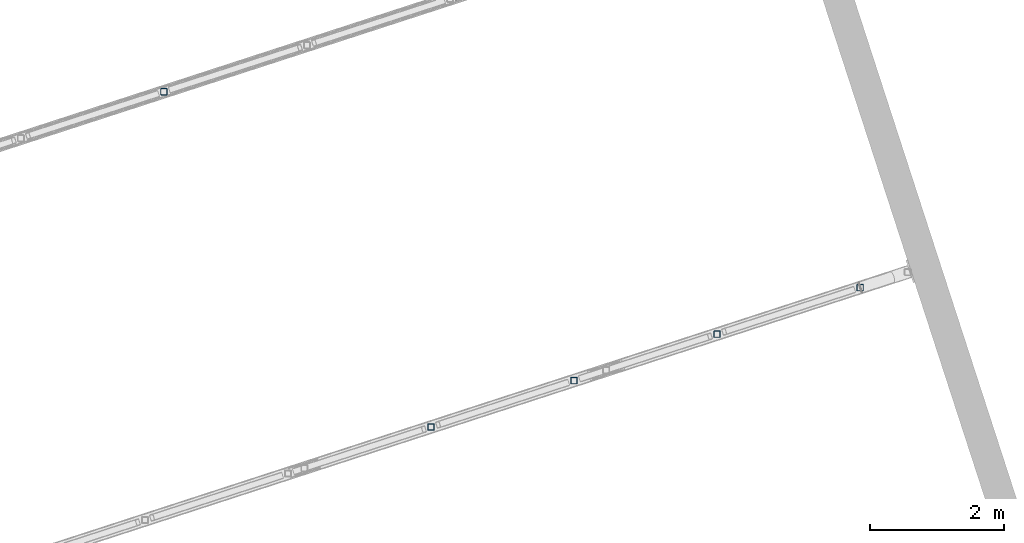
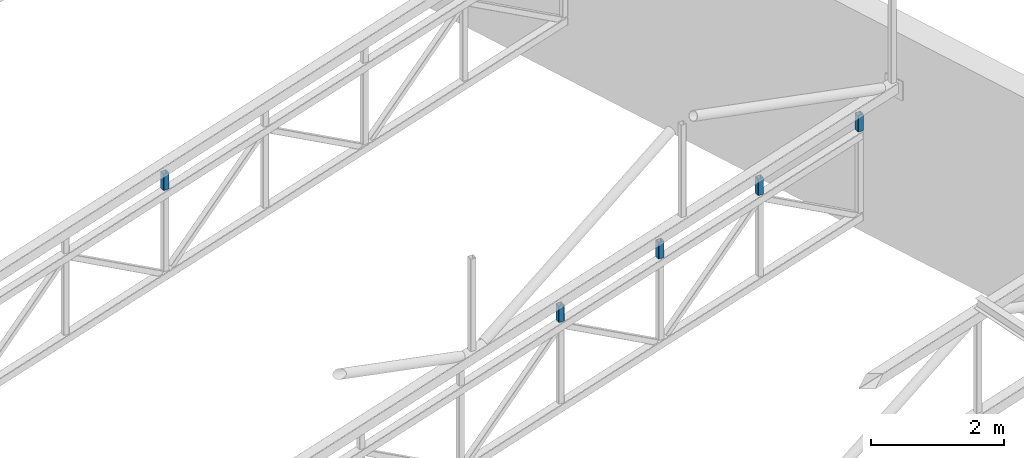
# One storey, part 59 of 81: 5 members.
"""IFC4 building model written with IfcOpenShell, lengths in metres."""

import ifcopenshell
import ifcopenshell.guid

model = None  # the IFC model being written
_history = None  # IfcOwnerHistory: only IFC2X3 demands one
_inside = {}  # id of a spatial element -> (the spatial element, [elements in it])
_under = {}  # id of a project, library or spatial element -> (it, [spatial elements below it])
_declared = {}  # id of a project -> (the project, [libraries it declares])
_typed = {}  # id of a type object -> (the type object, [elements of that type])
_made_of = {}  # id of a material, layer set ... -> (it, [elements and type objects made of it])


def new_model(schema):
    """Start an empty IFC model of exactly this schema.

    Asked for "IFC4X3", IfcOpenShell would pick the latest addendum, in which some entities
    have other attributes; the version numbers below select the first issue.
    IFC2X3 requires an IfcOwnerHistory on every rooted entity: one is made here for all.
    """
    global model, _history
    if schema == "IFC4X3":
        model = ifcopenshell.file(schema_version=(4, 3, 0, 0))
    else:
        model = ifcopenshell.file(schema=schema)
    _inside.clear()
    _under.clear()
    _declared.clear()
    _typed.clear()
    _made_of.clear()
    _history = None
    if model.schema == "IFC2X3":
        org = make("IfcOrganization", Name="unknown")
        user = make(
            "IfcPersonAndOrganization",
            ThePerson=make("IfcPerson", FamilyName="unknown"),
            TheOrganization=org,
        )
        app = make(
            "IfcApplication",
            ApplicationDeveloper=org,
            Version="unknown",
            ApplicationFullName="unknown",
            ApplicationIdentifier="unknown",
        )
        _history = make(
            "IfcOwnerHistory",
            OwningUser=user,
            OwningApplication=app,
            ChangeAction="ADDED",
            CreationDate=0,
        )
    return model


def make(cls, **values):
    """One entity of the class cls with the attributes given. An attribute that is None is left unset."""
    return model.create_entity(
        cls, **{name: value for name, value in values.items() if value is not None}
    )


def rooted(cls, **values):
    """An entity with a GlobalId (a new one), such as an element, a storey or a relation."""
    return make(cls, GlobalId=ifcopenshell.guid.new(), OwnerHistory=_history, **values)


def si_unit(unit_type, name, prefix=None):
    """IfcSIUnit, for example si_unit("LENGTHUNIT", "METRE", prefix="MILLI")."""
    return make("IfcSIUnit", UnitType=unit_type, Prefix=prefix, Name=name)


def assignment(units):
    """IfcUnitAssignment: the units of a project."""
    return None if units is None else make("IfcUnitAssignment", Units=units)


def point(xyz):
    """IfcCartesianPoint."""
    return None if xyz is None else make("IfcCartesianPoint", Coordinates=xyz)


def direction(xyz):
    """IfcDirection."""
    return None if xyz is None else make("IfcDirection", DirectionRatios=xyz)


def frame(location, z_axis=None, x_axis=None):
    """IfcAxis2Placement3D, a coordinate frame: its origin and axes. An axis left out is left unset."""
    return make(
        "IfcAxis2Placement3D",
        Location=point(location),
        Axis=direction(z_axis),
        RefDirection=direction(x_axis),
    )


def frame_2d(location, x_axis=None):
    """IfcAxis2Placement2D, a coordinate frame in the plane: its origin and x axis."""
    return make(
        "IfcAxis2Placement2D", Location=point(location), RefDirection=direction(x_axis)
    )


def origin():
    """The frame at (0, 0, 0) with its axes left unset."""
    return frame((0.0, 0.0, 0.0))


def origin_2d():
    """The frame at (0, 0) in the plane with its x axis left unset."""
    return frame_2d((0.0, 0.0))


def place(relative_to, where):
    """IfcLocalPlacement: puts the frame where relative to a parent placement (None: the world)."""
    return make(
        "IfcLocalPlacement", PlacementRelTo=relative_to, RelativePlacement=where
    )


def context(
    kind, dimensions, precision=None, world=None, true_north=None, identifier=None
):
    """IfcGeometricRepresentationContext, for example the 3D "Model" context."""
    return make(
        "IfcGeometricRepresentationContext",
        ContextIdentifier=identifier,
        ContextType=kind,
        CoordinateSpaceDimension=dimensions,
        Precision=precision,
        WorldCoordinateSystem=world,
        TrueNorth=true_north,
    )


def subcontext(parent, identifier, kind, view, scale=None):
    """IfcGeometricRepresentationSubContext, for example "Body" below "Model"."""
    return make(
        "IfcGeometricRepresentationSubContext",
        ContextIdentifier=identifier,
        ContextType=kind,
        ParentContext=parent,
        TargetScale=scale,
        TargetView=view,
    )


def project(units=None, contexts=None):
    """IfcProject with its units and contexts."""
    return rooted(
        "IfcProject",
        Name="project",
        RepresentationContexts=contexts,
        UnitsInContext=assignment(units),
    )


def spatial(cls, under=None, at=None, **own):
    """A site, building, storey or space (cls), placed at a placement, below another one or the project."""
    s = rooted(cls, ObjectPlacement=at, **own)
    if under is not None:
        _under.setdefault(under.id(), (under, []))[1].append(s)
    return s


def profile(cls, at=None, kind="AREA", **sizes):
    """A parametric profile (cls). Its sizes go by their IFC names, for example OverallWidth=200.0."""
    return make(cls, ProfileType=kind, Position=at, **sizes)


def hollow_rectangle(**sizes):
    """IfcRectangleHollowProfileDef."""
    return profile("IfcRectangleHollowProfileDef", **sizes)


def extrude(swept, where, along, depth):
    """IfcExtrudedAreaSolid: the profile swept, set in the frame where, extruded along a direction by depth."""
    return make(
        "IfcExtrudedAreaSolid",
        SweptArea=swept,
        Position=where,
        ExtrudedDirection=direction(along),
        Depth=depth,
    )


def shape(context_of_items, identifier, shape_type, items):
    """IfcShapeRepresentation: the items that make up one representation, for example the "Body"."""
    return make(
        "IfcShapeRepresentation",
        ContextOfItems=context_of_items,
        RepresentationIdentifier=identifier,
        RepresentationType=shape_type,
        Items=items,
    )


def material(Name=None, Category=None):
    """IfcMaterial."""
    return make("IfcMaterial", Name=Name, Category=Category)


def material_profile(
    of_material, cross_section, Name=None, Category=None, Priority=None
):
    """IfcMaterialProfile: a cross section and its material."""
    return make(
        "IfcMaterialProfile",
        Name=Name,
        Material=of_material,
        Profile=cross_section,
        Priority=Priority,
        Category=Category,
    )


def profile_set(profiles, Name=None, composite=None):
    """IfcMaterialProfileSet."""
    return make(
        "IfcMaterialProfileSet",
        Name=Name,
        MaterialProfiles=profiles,
        CompositeProfile=composite,
    )


def made_of(thing, what):
    """Note that an element or type object is made of a material, layer set ...; save() writes the relation."""
    if what is not None:
        _made_of.setdefault(what.id(), (what, []))[1].append(thing)
    return thing


def type_object(cls, material=None, **own):
    """A type object (cls), such as IfcWallType, which elements share."""
    return made_of(rooted(cls, **own), material)


def element(
    cls,
    number,
    at=None,
    inside=None,
    cuts=None,
    type_object=None,
    material=None,
    context=None,
    identifier="Body",
    shape_type=None,
    held_by="IfcProductDefinitionShape",
    body=None,
    shapes=None,
    **own,
):
    """One element of the class cls, such as IfcWall. Its Tag is "e" and its number.

    at: its placement. inside: the storey or other place that contains it. cuts: it is an
    opening in that element (IfcRelVoidsElement). A single representation is given by context,
    identifier, shape_type and body (its items); several are given by shapes. held_by: the class
    of the entity that holds the representations. save() writes the other relations.
    """
    e = rooted(cls, Tag="e%d" % number, ObjectPlacement=at, **own)
    if body is not None:
        shapes = [shape(context, identifier, shape_type, body)]
    if shapes is not None:
        e.Representation = make(held_by, Representations=shapes)
    if inside is not None:
        _inside.setdefault(inside.id(), (inside, []))[1].append(e)
    if cuts is not None:
        rooted(
            "IfcRelVoidsElement", RelatingBuildingElement=cuts, RelatedOpeningElement=e
        )
    if type_object is not None:
        _typed.setdefault(type_object.id(), (type_object, []))[1].append(e)
    return made_of(e, material)


def aggregate(whole, parts):
    """IfcRelAggregates: a whole, such as a stair, and the parts it consists of."""
    return rooted("IfcRelAggregates", RelatingObject=whole, RelatedObjects=parts)


def save(model, path):
    """Write the relations noted so far, then the file.

    IfcRelAggregates (storeys below a building ...), IfcRelContainedInSpatialStructure (elements
    in a storey), IfcRelDefinesByType, IfcRelAssociatesMaterial and IfcRelDeclares: one each for
    every whole, place, type object, material and project.
    """
    for whole, parts in _under.values():
        aggregate(whole, parts)
    for where, things in _inside.values():
        rooted(
            "IfcRelContainedInSpatialStructure",
            RelatedElements=things,
            RelatingStructure=where,
        )
    for kind, things in _typed.values():
        rooted("IfcRelDefinesByType", RelatedObjects=things, RelatingType=kind)
    for what, things in _made_of.values():
        rooted("IfcRelAssociatesMaterial", RelatedObjects=things, RelatingMaterial=what)
    for by, libraries in _declared.values():
        rooted("IfcRelDeclares", RelatingContext=by, RelatedDefinitions=libraries)
    model.write(path)


model = new_model("IFC4")

# Units and contexts
model_context = context("Model", 3, precision=1e-05, world=origin(), true_north=direction((0.0, 1.0)))
body_context = subcontext(model_context, "Body", "Model", "MODEL_VIEW")
ifc_project = project(units=[si_unit("LENGTHUNIT", "METRE"), si_unit("AREAUNIT", "SQUARE_METRE"), si_unit("VOLUMEUNIT", "CUBIC_METRE"), si_unit("PLANEANGLEUNIT", "RADIAN"), si_unit("MASSUNIT", "GRAM", prefix="KILO")], contexts=[model_context])

# Site, building, storey
site_placement = place(None, origin())
site = spatial("IfcSite", under=ifc_project, at=site_placement, CompositionType="ELEMENT")
building_placement = place(site_placement, origin())
building = spatial("IfcBuilding", under=site, at=building_placement, Name="Tuart Plaza Theatre", CompositionType="ELEMENT")
storey_placement = place(building_placement, frame((0.0, 0.0, 17.5)))
storey = spatial("IfcBuildingStorey", under=building, at=storey_placement, Name="L04", CompositionType="ELEMENT", Elevation=17.5)

# Members
ifc_material = material(Name="Steel Grade C350L0", Category="steel")
ifc_material_profile = material_profile(ifc_material, hollow_rectangle(XDim=0.10009765625, YDim=0.10009765625, WallThickness=0.006103515625, InnerFilletRadius=0.006103515625, OuterFilletRadius=0.011962890625, at=origin_2d()), Name="100x100x6 SHS")
ifc_profile_set = profile_set([ifc_material_profile], Name="Steel Grade C350L0")
member_type = type_object("IfcMemberType", Name="MEMBER Post 100x100x6 SHS", PredefinedType="POST", material=ifc_profile_set)
for number, where, z_axis, x_axis, name in (
    (1, (67.410888671875, 57.120361328125, 2.599365234375), (0.0, 0.0, 1.0), (1.0, 0.0, 0.0), "PO131"),
    (2, (69.548828125, 57.81494140625, 2.599365234375), (0.0, 0.0, 1.0), (1.0, 0.0, 0.0), "PO132"),
    (3, (71.686767578125, 58.509521484375, 2.599365234375), (0.0, 0.0, 1.0), (1.0, 0.0, 0.0), "PO133"),
    (4, (73.82470703125, 59.204345703125, 2.599365234375), (0.0, 0.0, 1.0), (1.0, 0.0, 0.0), "PO134"),
    (5, (63.4189453125, 62.132080078125, 3.3916015625), (0.0, 0.0, 1.0), (1.0, 0.0, 0.0), "PO156"),
):
    element("IfcMember", number, at=place(storey_placement, frame(where, z_axis=z_axis, x_axis=x_axis)), inside=storey, type_object=member_type, Name=name, PredefinedType="POST", context=body_context, shape_type="SweptSolid", body=[
        extrude(hollow_rectangle(XDim=0.10009765625, YDim=0.10009765625, WallThickness=0.006103515625, InnerFilletRadius=0.006103515625, OuterFilletRadius=0.011962890625, at=origin_2d()), origin(), (0.0, 0.0, 1.0), 0.300048828125),
    ])

save(model, "model.ifc")
